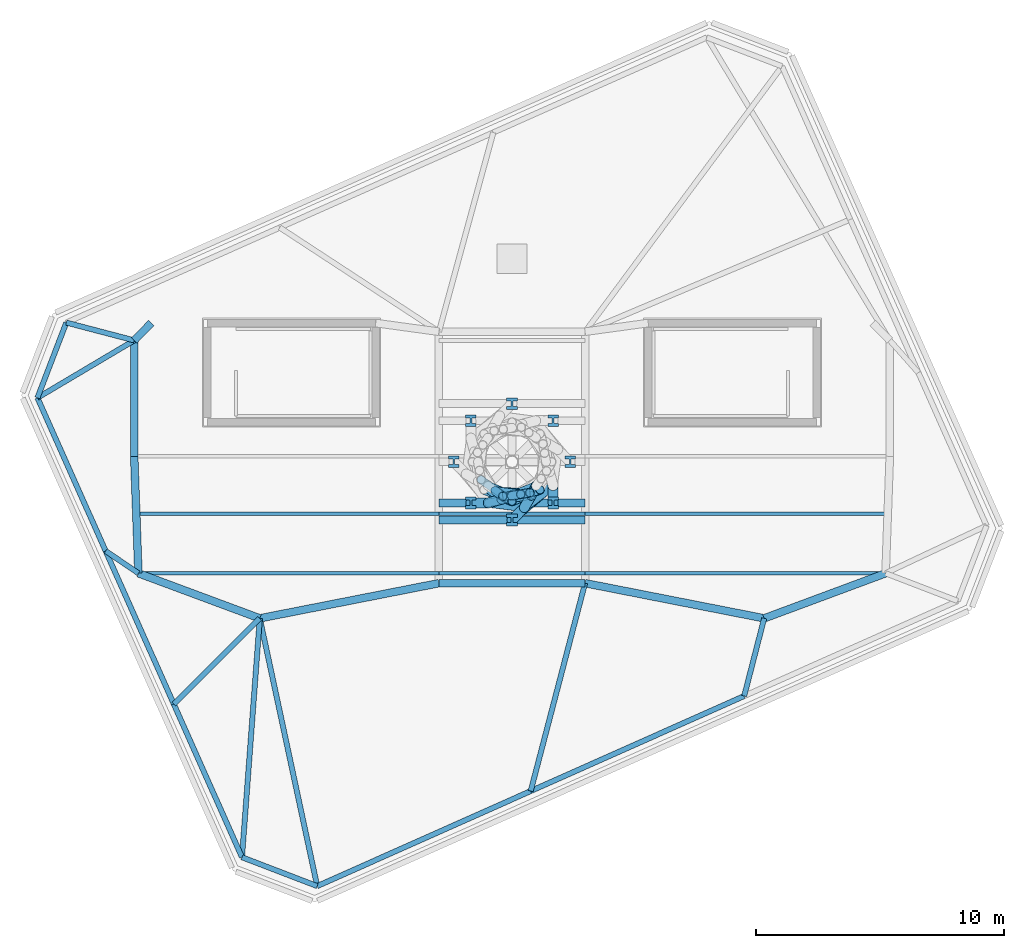
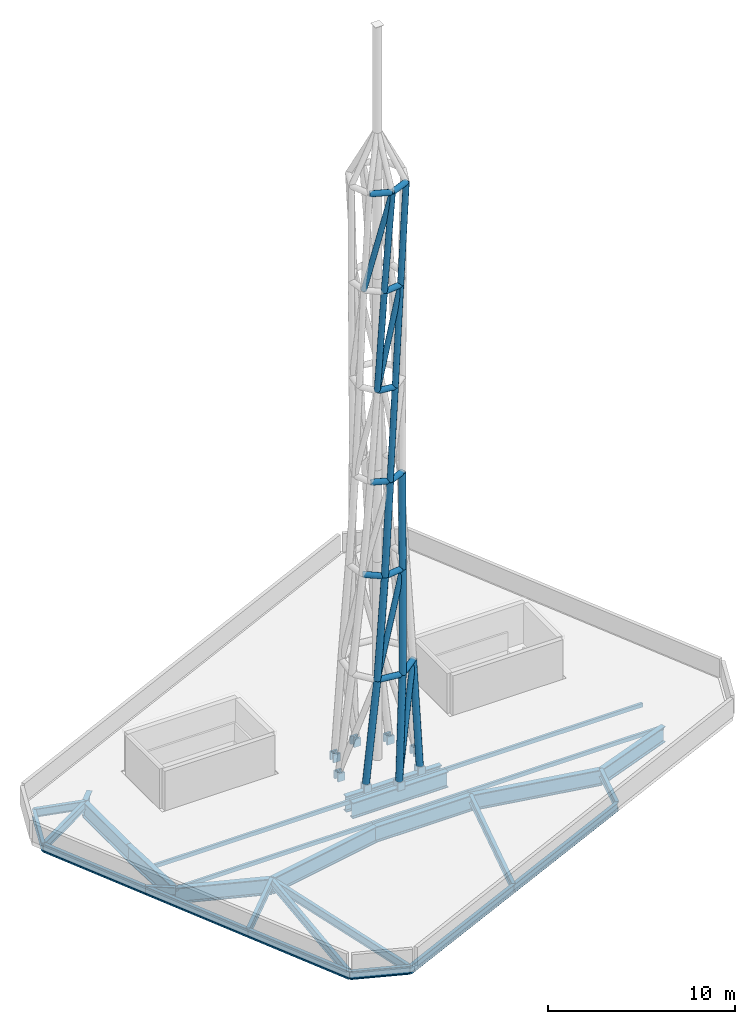
# One storey, part 1 of 5: 32 members, 25 beams, 8 columns.
"""IFC4 building model written with IfcOpenShell, lengths in metres."""

from ifc_helpers import new_model, si_unit, direction, frame, origin, origin_2d, place, context, subcontext, project, spatial, hollow_rectangle, hollow_circle, i_section, extrude, material, material_profile, profile_set, type_object, element, save


model = new_model("IFC4")

# Units and contexts
model_context = context("Model", 3, precision=1e-05, world=origin(), true_north=direction((0.0, 1.0)))
body_context = subcontext(model_context, "Body", "Model", "MODEL_VIEW")
ifc_project = project(units=[si_unit("LENGTHUNIT", "METRE"), si_unit("AREAUNIT", "SQUARE_METRE"), si_unit("VOLUMEUNIT", "CUBIC_METRE"), si_unit("PLANEANGLEUNIT", "RADIAN"), si_unit("MASSUNIT", "GRAM", prefix="KILO")], contexts=[model_context])

# Site, building, storey
site_placement = place(None, origin())
site = spatial("IfcSite", under=ifc_project, at=site_placement, CompositionType="ELEMENT")
building_placement = place(site_placement, origin())
building = spatial("IfcBuilding", under=site, at=building_placement, Name="Menara Jurai Vektor", CompositionType="ELEMENT")
storey_placement = place(building_placement, frame((0.0, 0.0, 312.0)))
storey = spatial("IfcBuildingStorey", under=building, at=storey_placement, Name="Roof", CompositionType="ELEMENT", Elevation=312.0)

# Columns
ifc_material_1 = material(Name="Steel S460", Category="steel")
ifc_material_profile_1 = material_profile(ifc_material_1, i_section(OverallWidth=0.427978515625, OverallDepth=0.468994140625, WebThickness=0.077880859375, FlangeThickness=0.125, FilletRadius=0.014892578125, at=origin_2d()), Name="HD 400x1086")
ifc_profile_set_1 = profile_set([ifc_material_profile_1], Name="Steel S460")
column_type = type_object("IfcColumnType", Name="STR-COL-PED-HD1086", PredefinedType="COLUMN", material=ifc_profile_set_1)
for number, where, z_axis, x_axis, name in (
    (1, (2.35009765625, 0.0, -0.5), (0.0, 0.0, 1.0), (1.0, 0.0, 0.0), "Broadcast Mast Anchor Pedestal 1"),
    (2, (1.66162109375, 1.66162109375, -0.5), (0.0, 0.0, 1.0), (1.0, 0.0, 0.0), "Broadcast Mast Anchor Pedestal 2"),
    (3, (0.0, 2.35009765625, -0.5), (0.0, 0.0, 1.0), (1.0, 0.0, 0.0), "Broadcast Mast Anchor Pedestal 3"),
    (4, (-1.66162109375, 1.66162109375, -0.5), (0.0, 0.0, 1.0), (1.0, 0.0, 0.0), "Broadcast Mast Anchor Pedestal 4"),
    (5, (-2.35009765625, 0.0, -0.5), (0.0, 0.0, 1.0), (1.0, 0.0, 0.0), "Broadcast Mast Anchor Pedestal 5"),
    (6, (-1.66162109375, -1.66162109375, -0.5), (0.0, 0.0, 1.0), (1.0, 0.0, 0.0), "Broadcast Mast Anchor Pedestal 6"),
    (7, (0.0, -2.35009765625, -0.5), (0.0, 0.0, 1.0), (1.0, 0.0, 0.0), "Broadcast Mast Anchor Pedestal 7"),
    (8, (1.66162109375, -1.66162109375, -0.5), (0.0, 0.0, 1.0), (1.0, 0.0, 0.0), "Broadcast Mast Anchor Pedestal 8"),
):
    element("IfcColumn", number, at=place(storey_placement, frame(where, z_axis=z_axis, x_axis=x_axis)), inside=storey, type_object=column_type, Name=name, PredefinedType="COLUMN", context=body_context, shape_type="SweptSolid", body=[
        extrude(i_section(OverallWidth=0.427978515625, OverallDepth=0.468994140625, WebThickness=0.077880859375, FlangeThickness=0.125, FilletRadius=0.014892578125, at=origin_2d()), origin(), (0.0, 0.0, 1.0), 0.52001953125),
    ])

# Beams
ifc_material_2 = material(Name="Steel S355", Category="steel")
ifc_material_profile_2 = material_profile(ifc_material_2, i_section(OverallWidth=0.2109375, OverallDepth=0.5390625, WebThickness=0.011962890625, FlangeThickness=0.01904296875, FilletRadius=0.012939453125, at=origin_2d()), Name="UKB 533x210x109")
ifc_profile_set_2 = profile_set([ifc_material_profile_2], Name="Steel S355")
beam_type_1 = type_object("IfcBeamType", Name="STR-BM-533", PredefinedType="BEAM", material=ifc_profile_set_2)
beam_1_placement = place(storey_placement, frame((-7.86279296875, -17.12890625, -0.619384765625), z_axis=(0.913542400823, 0.406743508735, 0.0), x_axis=(-0.406743508735, 0.913542400823, 0.0)))
element("IfcBeam", 9, at=beam_1_placement, inside=storey, type_object=beam_type_1, Name="Drum Roof Spandrel Beam 01", PredefinedType="SPANDREL", context=body_context, shape_type="SweptSolid", body=[
    extrude(i_section(OverallWidth=0.2109375, OverallDepth=0.5390625, WebThickness=0.011962890625, FlangeThickness=0.01904296875, FilletRadius=0.012939453125, at=origin_2d()), origin(), (0.0, 0.0, 1.0), 9.433349609375),
])
beam_2_placement = place(storey_placement, frame((-7.86279296875, -17.12890625, -0.619384765625), z_axis=(-0.209612042701, 0.977784634546, 0.0), x_axis=(-0.977784634546, -0.209612042701, 0.0)))
element("IfcBeam", 10, at=beam_2_placement, inside=storey, type_object=beam_type_1, Name="Drum Roof Radial Girder 01", PredefinedType="BEAM", context=body_context, shape_type="SweptSolid", body=[
    extrude(i_section(OverallWidth=0.2109375, OverallDepth=0.5390625, WebThickness=0.011962890625, FlangeThickness=0.01904296875, FilletRadius=0.012939453125, at=origin_2d()), origin(), (0.0, 0.0, 1.0), 11.054443359375),
])
beam_3_placement = place(storey_placement, frame((0.7548828125, -13.2919921875, -0.619384765625), z_axis=(0.913546682407, 0.406733892198, 0.0), x_axis=(-0.406733892198, 0.913546682407, 0.0)))
element("IfcBeam", 11, at=beam_3_placement, inside=storey, type_object=beam_type_1, Name="Drum Roof Spandrel Beam 02", PredefinedType="SPANDREL", context=body_context, shape_type="SweptSolid", body=[
    extrude(i_section(OverallWidth=0.2109375, OverallDepth=0.5390625, WebThickness=0.011962890625, FlangeThickness=0.01904296875, FilletRadius=0.012939453125, at=origin_2d()), origin(), (0.0, 0.0, 1.0), 9.43359375),
])
beam_4_placement = place(storey_placement, frame((0.7548828125, -13.2919921875, -0.619384765625), z_axis=(0.253050845091, 0.967452980666, 0.0), x_axis=(-0.967452980666, 0.253050845091, 0.0)))
element("IfcBeam", 12, at=beam_4_placement, inside=storey, type_object=beam_type_1, Name="Drum Roof Radial Girder 02", PredefinedType="BEAM", context=body_context, shape_type="SweptSolid", body=[
    extrude(i_section(OverallWidth=0.2109375, OverallDepth=0.5390625, WebThickness=0.011962890625, FlangeThickness=0.01904296875, FilletRadius=0.012939453125, at=origin_2d()), origin(), (0.0, 0.0, 1.0), 8.67431640625),
])
beam_5_placement = place(storey_placement, frame((9.372802734375, -9.455078125, -0.619384765625), z_axis=(0.249326005307, 0.968419611056, 0.0), x_axis=(-0.968419611056, 0.249326005307, 0.0)))
element("IfcBeam", 13, at=beam_5_placement, inside=storey, type_object=beam_type_1, Name="Drum Roof Radial Girder 03", PredefinedType="BEAM", context=body_context, shape_type="SweptSolid", body=[
    extrude(i_section(OverallWidth=0.2109375, OverallDepth=0.5390625, WebThickness=0.011962890625, FlangeThickness=0.01904296875, FilletRadius=0.012939453125, at=origin_2d()), origin(), (0.0, 0.0, 1.0), 3.2373046875),
])
beam_6_placement = place(storey_placement, frame((-17.990478515625, 5.618408203125, -0.619384765625), z_axis=(-0.358400601676, -0.933567891863, 0.0), x_axis=(0.933567891863, -0.358400601676, 0.0)))
element("IfcBeam", 14, at=beam_6_placement, inside=storey, type_object=beam_type_1, Name="Drum Roof Spandrel Beam 12", PredefinedType="SPANDREL", context=body_context, shape_type="SweptSolid", body=[
    extrude(i_section(OverallWidth=0.2109375, OverallDepth=0.5390625, WebThickness=0.011962890625, FlangeThickness=0.01904296875, FilletRadius=0.012939453125, at=origin_2d()), origin(), (0.0, 0.0, 1.0), 3.252685546875),
])
beam_7_placement = place(storey_placement, frame((-17.990478515625, 5.618408203125, -0.619384765625), z_axis=(0.967306314213, -0.253610911602, 0.0), x_axis=(0.253610911602, 0.967306314213, 0.0)))
element("IfcBeam", 15, at=beam_7_placement, inside=storey, type_object=beam_type_1, Name="Drum Roof Radial Girder 12", PredefinedType="BEAM", context=body_context, shape_type="SweptSolid", body=[
    extrude(i_section(OverallWidth=0.2109375, OverallDepth=0.5390625, WebThickness=0.011962890625, FlangeThickness=0.01904296875, FilletRadius=0.012939453125, at=origin_2d()), origin(), (0.0, 0.0, 1.0), 2.8330078125),
])
beam_8_placement = place(storey_placement, frame((-19.15625, 2.581787109375, -0.619384765625), z_axis=(0.406747616829, -0.913540571734, 0.0), x_axis=(0.913540571734, 0.406747616829, 0.0)))
element("IfcBeam", 16, at=beam_8_placement, inside=storey, type_object=beam_type_1, Name="Drum Roof Spandrel Beam 13", PredefinedType="SPANDREL", context=body_context, shape_type="SweptSolid", body=[
    extrude(i_section(OverallWidth=0.2109375, OverallDepth=0.5390625, WebThickness=0.011962890625, FlangeThickness=0.01904296875, FilletRadius=0.012939453125, at=origin_2d()), origin(), (0.0, 0.0, 1.0), 6.766845703125),
])
beam_9_placement = place(storey_placement, frame((-19.15625, 2.581787109375, -0.619384765625), z_axis=(0.859972695477, 0.510340046472, 0.0), x_axis=(-0.510340046472, 0.859972695477, 0.0)))
element("IfcBeam", 17, at=beam_9_placement, inside=storey, type_object=beam_type_1, Name="Drum Roof Radial Girder 13", PredefinedType="BEAM", context=body_context, shape_type="SweptSolid", body=[
    extrude(i_section(OverallWidth=0.2109375, OverallDepth=0.5390625, WebThickness=0.011962890625, FlangeThickness=0.01904296875, FilletRadius=0.012939453125, at=origin_2d()), origin(), (0.0, 0.0, 1.0), 4.542236328125),
])
beam_10_placement = place(storey_placement, frame((-16.40380859375, -3.60009765625, -0.619384765625), z_axis=(0.40674431916, -0.913542039991, 0.0), x_axis=(0.913542039991, 0.40674431916, 0.0)))
element("IfcBeam", 18, at=beam_10_placement, inside=storey, type_object=beam_type_1, Name="Drum Roof Spandrel Beam 14", PredefinedType="SPANDREL", context=body_context, shape_type="SweptSolid", body=[
    extrude(i_section(OverallWidth=0.2109375, OverallDepth=0.5390625, WebThickness=0.011962890625, FlangeThickness=0.01904296875, FilletRadius=0.012939453125, at=origin_2d()), origin(), (0.0, 0.0, 1.0), 6.766357421875),
])
beam_11_placement = place(storey_placement, frame((-16.40380859375, -3.60009765625, -0.619384765625), z_axis=(0.826994581898, -0.562209890977, 0.0), x_axis=(0.562209890977, 0.826994581898, 0.0)))
element("IfcBeam", 19, at=beam_11_placement, inside=storey, type_object=beam_type_1, Name="Drum Roof Radial Girder 14", PredefinedType="BEAM", context=body_context, shape_type="SweptSolid", body=[
    extrude(i_section(OverallWidth=0.2109375, OverallDepth=0.5390625, WebThickness=0.011962890625, FlangeThickness=0.01904296875, FilletRadius=0.012939453125, at=origin_2d()), origin(), (0.0, 0.0, 1.0), 1.6005859375),
])
beam_12_placement = place(storey_placement, frame((-13.651611328125, -9.781494140625, -0.619384765625), z_axis=(0.406717506727, -0.913553977454, 0.0), x_axis=(0.913553977454, 0.406717506727, 0.0)))
element("IfcBeam", 20, at=beam_12_placement, inside=storey, type_object=beam_type_1, Name="Drum Roof Spandrel Beam 15", PredefinedType="SPANDREL", context=body_context, shape_type="SweptSolid", body=[
    extrude(i_section(OverallWidth=0.2109375, OverallDepth=0.5390625, WebThickness=0.011962890625, FlangeThickness=0.01904296875, FilletRadius=0.012939453125, at=origin_2d()), origin(), (0.0, 0.0, 1.0), 6.766845703125),
])
beam_13_placement = place(storey_placement, frame((-13.651611328125, -9.781494140625, -0.619384765625), z_axis=(0.708151801634, 0.706060214034, 0.0), x_axis=(-0.706060214034, 0.708151801634, 0.0)))
element("IfcBeam", 21, at=beam_13_placement, inside=storey, type_object=beam_type_1, Name="Drum Roof Radial Girder 15", PredefinedType="BEAM", context=body_context, shape_type="SweptSolid", body=[
    extrude(i_section(OverallWidth=0.2109375, OverallDepth=0.5390625, WebThickness=0.011962890625, FlangeThickness=0.01904296875, FilletRadius=0.012939453125, at=origin_2d()), origin(), (0.0, 0.0, 1.0), 4.90234375),
])
beam_14_placement = place(storey_placement, frame((-10.8994140625, -15.96337890625, -0.619384765625), z_axis=(0.933593003906, -0.358335182557, 0.0), x_axis=(0.358335182557, 0.933593003906, 0.0)))
element("IfcBeam", 22, at=beam_14_placement, inside=storey, type_object=beam_type_1, Name="Drum Roof Spandrel Beam 16", PredefinedType="SPANDREL", context=body_context, shape_type="SweptSolid", body=[
    extrude(i_section(OverallWidth=0.2109375, OverallDepth=0.5390625, WebThickness=0.011962890625, FlangeThickness=0.01904296875, FilletRadius=0.012939453125, at=origin_2d()), origin(), (0.0, 0.0, 1.0), 3.252685546875),
])
beam_15_placement = place(storey_placement, frame((-10.8994140625, -15.96337890625, -0.619384765625), z_axis=(0.074402687101, 0.997228278857, 0.0), x_axis=(-0.997228278857, 0.074402687101, 0.0)))
element("IfcBeam", 23, at=beam_15_placement, inside=storey, type_object=beam_type_1, Name="Drum Roof Radial Girder 16", PredefinedType="BEAM", context=body_context, shape_type="SweptSolid", body=[
    extrude(i_section(OverallWidth=0.2109375, OverallDepth=0.5390625, WebThickness=0.011962890625, FlangeThickness=0.01904296875, FilletRadius=0.012939453125, at=origin_2d()), origin(), (0.0, 0.0, 1.0), 9.670166015625),
])
ifc_material_profile_3 = material_profile(ifc_material_1, i_section(OverallWidth=0.30908203125, OverallDepth=1.035888671875, WebThickness=0.030029296875, FlangeThickness=0.053955078125, FilletRadius=0.030029296875, at=origin_2d()), Name="UKB 1016x305x487")
ifc_profile_set_3 = profile_set([ifc_material_profile_3], Name="Steel S460")
beam_type_2 = type_object("IfcBeamType", Name="STR-BM-TR1016", PredefinedType="BEAM", material=ifc_profile_set_3)
beam_16_placement = place(storey_placement, frame((-15.25, 4.89990234375, -0.867919921875), z_axis=(0.701871936926, 0.712303154672, 0.0), x_axis=(-0.712303154672, 0.701871936926, 0.0)))
element("IfcBeam", 24, at=beam_16_placement, inside=storey, type_object=beam_type_2, Name="Core Ring Header Girder Roof-CHW-N1", PredefinedType="BEAM", context=body_context, shape_type="SweptSolid", body=[
    extrude(i_section(OverallWidth=0.30908203125, OverallDepth=1.035888671875, WebThickness=0.030029296875, FlangeThickness=0.053955078125, FilletRadius=0.030029296875, at=origin_2d()), origin(), (0.0, 0.0, 1.0), 0.98291015625),
])
beam_17_placement = place(storey_placement, frame((-15.25, 0.219970703125, -0.867919921875), z_axis=(0.0, 1.0, 0.0), x_axis=(-1.0, 0.0, 0.0)))
element("IfcBeam", 25, at=beam_17_placement, inside=storey, type_object=beam_type_2, Name="Core Ring Header Girder Roof-CHW-W1", PredefinedType="BEAM", context=body_context, shape_type="SweptSolid", body=[
    extrude(i_section(OverallWidth=0.30908203125, OverallDepth=1.035888671875, WebThickness=0.030029296875, FlangeThickness=0.053955078125, FilletRadius=0.030029296875, at=origin_2d()), origin(), (0.0, 0.0, 1.0), 4.679931640625),
])
beam_18_placement = place(storey_placement, frame((-15.080078125, -4.5, -0.867919921875), z_axis=(-0.035977314146, 0.999352606874, 0.0), x_axis=(-0.999352606874, -0.035977314146, 0.0)))
element("IfcBeam", 26, at=beam_18_placement, inside=storey, type_object=beam_type_2, Name="Core Ring Header Girder Roof-CHW-W2", PredefinedType="BEAM", context=body_context, shape_type="SweptSolid", body=[
    extrude(i_section(OverallWidth=0.30908203125, OverallDepth=1.035888671875, WebThickness=0.030029296875, FlangeThickness=0.053955078125, FilletRadius=0.030029296875, at=origin_2d()), origin(), (0.0, 0.0, 1.0), 4.72314453125),
])
beam_19_placement = place(storey_placement, frame((-15.080078125, -4.5, -0.867919921875), z_axis=(0.937424400887, -0.348188874925, 0.0), x_axis=(0.348188874925, 0.937424400887, 0.0)))
element("IfcBeam", 27, at=beam_19_placement, inside=storey, type_object=beam_type_2, Name="Core Ring Header Girder Roof-CHW-S1", PredefinedType="BEAM", context=body_context, shape_type="SweptSolid", body=[
    extrude(i_section(OverallWidth=0.30908203125, OverallDepth=1.035888671875, WebThickness=0.030029296875, FlangeThickness=0.053955078125, FilletRadius=0.030029296875, at=origin_2d()), origin(), (0.0, 0.0, 1.0), 5.227294921875),
])
beam_20_placement = place(storey_placement, frame((-10.179931640625, -6.320068359375, -0.867919921875), z_axis=(0.981249044334, 0.192744164614, 0.0), x_axis=(-0.192744164614, 0.981249044334, 0.0)))
element("IfcBeam", 28, at=beam_20_placement, inside=storey, type_object=beam_type_2, Name="Core Ring Header Girder Roof-CHW-S2", PredefinedType="BEAM", context=body_context, shape_type="SweptSolid", body=[
    extrude(i_section(OverallWidth=0.30908203125, OverallDepth=1.035888671875, WebThickness=0.030029296875, FlangeThickness=0.053955078125, FilletRadius=0.030029296875, at=origin_2d()), origin(), (0.0, 0.0, 1.0), 7.3681640625),
])
beam_21_placement = place(storey_placement, frame((10.179931640625, -6.320068359375, -0.867919921875), z_axis=(0.937424400887, 0.348188874925, 0.0), x_axis=(-0.348188874925, 0.937424400887, 0.0)))
element("IfcBeam", 29, at=beam_21_placement, inside=storey, type_object=beam_type_2, Name="Core Ring Header Girder Roof-CHE-S1", PredefinedType="BEAM", context=body_context, shape_type="SweptSolid", body=[
    extrude(i_section(OverallWidth=0.30908203125, OverallDepth=1.035888671875, WebThickness=0.030029296875, FlangeThickness=0.053955078125, FilletRadius=0.030029296875, at=origin_2d()), origin(), (0.0, 0.0, 1.0), 5.227294921875),
])
beam_22_placement = place(storey_placement, frame((2.949951171875, -4.89990234375, -0.867919921875), z_axis=(0.981249044334, -0.192744164614, 0.0), x_axis=(0.192744164614, 0.981249044334, 0.0)))
element("IfcBeam", 30, at=beam_22_placement, inside=storey, type_object=beam_type_2, Name="Core Ring Header Girder Roof-CHE-S2", PredefinedType="BEAM", context=body_context, shape_type="SweptSolid", body=[
    extrude(i_section(OverallWidth=0.30908203125, OverallDepth=1.035888671875, WebThickness=0.030029296875, FlangeThickness=0.053955078125, FilletRadius=0.030029296875, at=origin_2d()), origin(), (0.0, 0.0, 1.0), 7.3681640625),
])
for number, where, z_axis, x_axis, name in (
    (31, (-2.949951171875, -4.89990234375, -0.867919921875), (1.0, 0.0, 0.0), (0.0, 1.0, 0.0), "Core Ring Header Girder Roof-CC-1"),
    (32, (-2.949951171875, -2.35009765625, -0.867919921875), (1.0, 0.0, 0.0), (0.0, 1.0, 0.0), "Broadcast Mast Cross Transfer Girder 1"),
    (33, (-2.949951171875, -1.66162109375, -0.867919921875), (1.0, 0.0, 0.0), (0.0, 1.0, 0.0), "Broadcast Mast Cross Transfer Girder 2"),
):
    element("IfcBeam", number, at=place(storey_placement, frame(where, z_axis=z_axis, x_axis=x_axis)), inside=storey, type_object=beam_type_2, Name=name, PredefinedType="BEAM", context=body_context, shape_type="SweptSolid", body=[
        extrude(i_section(OverallWidth=0.30908203125, OverallDepth=1.035888671875, WebThickness=0.030029296875, FlangeThickness=0.053955078125, FilletRadius=0.030029296875, at=origin_2d()), origin(), (0.0, 0.0, 1.0), 5.89990234375),
    ])

# Members
ifc_material_profile_4 = material_profile(ifc_material_1, hollow_circle(Radius=0.161865234375, WallThickness=0.012451171875, at=origin_2d()), Name="CHS 323.9x12.5")
ifc_profile_set_4 = profile_set([ifc_material_profile_4], Name="Steel S460")
member_type_1 = type_object("IfcMemberType", Name="STR-MAST-DIAG324", PredefinedType="USERDEFINED", material=ifc_profile_set_4)
member_1_placement = place(storey_placement, frame((0.0, -2.35009765625, 0.0), z_axis=(0.241787513154, 0.203443612763, 0.948762085514), x_axis=(-0.643826615743, 0.765171411424, 0.0)))
element("IfcMember", 34, at=member_1_placement, inside=storey, type_object=member_type_1, Name="Broadcast Mast Lattice Diagonal D1-7", ObjectType="MAST", PredefinedType="USERDEFINED", context=body_context, shape_type="SweptSolid", body=[
    extrude(hollow_circle(Radius=0.161865234375, WallThickness=0.012451171875, at=origin_2d()), origin(), (0.0, 0.0, 1.0), 6.85107421875),
])
member_2_placement = place(storey_placement, frame((-0.956298828125, -1.656494140625, 6.5), z_axis=(0.257985687246, 0.045021529234, 0.965099190281), x_axis=(-0.17191360704, 0.985112030032, 0.0)))
element("IfcMember", 35, at=member_2_placement, inside=storey, type_object=member_type_1, Name="Broadcast Mast Lattice Diagonal D2-6", ObjectType="MAST", PredefinedType="USERDEFINED", context=body_context, shape_type="SweptSolid", body=[
    extrude(hollow_circle(Radius=0.161865234375, WallThickness=0.012451171875, at=origin_2d()), origin(), (0.0, 0.0, 1.0), 6.735107421875),
])
member_3_placement = place(storey_placement, frame((-0.6796875, -1.177490234375, 25.0), z_axis=(0.210705038761, -0.010867518988, 0.977489275477), x_axis=(0.051508464396, 0.998672557997, 0.0)))
element("IfcMember", 36, at=member_3_placement, inside=storey, type_object=member_type_1, Name="Broadcast Mast Lattice Diagonal D5-5", ObjectType="MAST", PredefinedType="USERDEFINED", context=body_context, shape_type="SweptSolid", body=[
    extrude(hollow_circle(Radius=0.161865234375, WallThickness=0.012451171875, at=origin_2d()), origin(), (0.0, 0.0, 1.0), 6.649658203125),
])
member_4_placement = place(storey_placement, frame((-1.249755859375, -0.721435546875, 31.5), z_axis=(0.18716988535, -0.13159297077, 0.973473535368), x_axis=(0.575145004264, 0.818051480086, 0.0)))
element("IfcMember", 37, at=member_4_placement, inside=storey, type_object=member_type_1, Name="Broadcast Mast Lattice Diagonal D6-4", ObjectType="MAST", PredefinedType="USERDEFINED", context=body_context, shape_type="SweptSolid", body=[
    extrude(hollow_circle(Radius=0.161865234375, WallThickness=0.012451171875, at=origin_2d()), origin(), (0.0, 0.0, 1.0), 6.677001953125),
])
ifc_material_profile_5 = material_profile(ifc_material_1, hollow_circle(Radius=0.177734375, WallThickness=0.01611328125, at=origin_2d()), Name="CHS 355.6x16")
ifc_profile_set_5 = profile_set([ifc_material_profile_5], Name="Steel S460")
member_type_2 = type_object("IfcMemberType", Name="STR-MAST-LEG356", PredefinedType="USERDEFINED", material=ifc_profile_set_5)
member_5_placement = place(storey_placement, frame((0.0, -1.375244140625, 19.0), z_axis=(0.058530791442, 0.010317016673, 0.998232290411), x_axis=(-0.173590393345, 0.984817940199, 0.0)))
element("IfcMember", 38, at=member_5_placement, inside=storey, type_object=member_type_2, Name="Broadcast Mast Hyperboloid Leg T4-6", ObjectType="MAST", PredefinedType="USERDEFINED", context=body_context, shape_type="SweptSolid", body=[
    extrude(hollow_circle(Radius=0.177734375, WallThickness=0.01611328125, at=origin_2d()), origin(), (0.0, 0.0, 1.0), 6.0107421875),
])
for number, where, z_axis, x_axis, name in (
    (39, (-0.6796875, -1.177490234375, 25.0), (0.047022230208, -0.033223043034, 0.99834119382), (0.577041124989, 0.816715091125, 0.0), "Broadcast Mast Hyperboloid Leg T5-5"),
    (40, (0.351806640625, -1.313232421875, 25.0), (0.056771564768, 0.009749410066, 0.998339590739), (-0.169252899601, 0.98557265383, 0.0), "Broadcast Mast Hyperboloid Leg T5-6"),
):
    element("IfcMember", number, at=place(storey_placement, frame(where, z_axis=z_axis, x_axis=x_axis)), inside=storey, type_object=member_type_2, Name=name, ObjectType="MAST", PredefinedType="USERDEFINED", context=body_context, shape_type="SweptSolid", body=[
        extrude(hollow_circle(Radius=0.177734375, WallThickness=0.01611328125, at=origin_2d()), origin(), (0.0, 0.0, 1.0), 6.5107421875),
    ])
for number, where, z_axis, x_axis, name in (
    (41, (-0.37353515625, -1.393798828125, 31.5), (0.057343511338, -0.031670109203, 0.997852056114), (0.48345541913, 0.875368983751, 0.0), "Broadcast Mast Hyperboloid Leg T6-5"),
    (42, (0.721435546875, -1.249755859375, 31.5), (0.062927973921, 0.018177526713, 0.997852517971), (-0.27751618061, 0.960720963391, 0.0), "Broadcast Mast Hyperboloid Leg T6-6"),
):
    element("IfcMember", number, at=place(storey_placement, frame(where, z_axis=z_axis, x_axis=x_axis)), inside=storey, type_object=member_type_2, Name=name, ObjectType="MAST", PredefinedType="USERDEFINED", context=body_context, shape_type="SweptSolid", body=[
        extrude(hollow_circle(Radius=0.177734375, WallThickness=0.01611328125, at=origin_2d()), origin(), (0.0, 0.0, 1.0), 6.513916015625),
    ])
ifc_material_profile_6 = material_profile(ifc_material_1, hollow_circle(Radius=0.203125, WallThickness=0.01611328125, at=origin_2d()), Name="CHS 406.4x16")
ifc_profile_set_6 = profile_set([ifc_material_profile_6], Name="Steel S460")
member_type_3 = type_object("IfcMemberType", Name="STR-MAST-LEG406", PredefinedType="USERDEFINED", material=ifc_profile_set_6)
for number, where, z_axis, x_axis, name in (
    (43, (-1.66162109375, -1.66162109375, 0.0), (0.107877830526, 0.000784158685, 0.994163849059), (-0.007268759165, 0.999973582221, 0.0), "Broadcast Mast Hyperboloid Leg T1-6"),
    (44, (0.0, -2.35009765625, 0.0), (0.075727251266, 0.076847476877, 0.994162888421), (-0.712279262743, 0.701896183111, 0.0), "Broadcast Mast Hyperboloid Leg T1-7"),
    (45, (1.66162109375, -1.66162109375, 0.0), (-0.000784158685, 0.107877830526, 0.994163849059), (-0.999973582221, -0.007268759165, 0.0), "Broadcast Mast Hyperboloid Leg T1-8"),
):
    element("IfcMember", number, at=place(storey_placement, frame(where, z_axis=z_axis, x_axis=x_axis)), inside=storey, type_object=member_type_3, Name=name, ObjectType="MAST", PredefinedType="USERDEFINED", context=body_context, shape_type="SweptSolid", body=[
        extrude(hollow_circle(Radius=0.203125, WallThickness=0.01611328125, at=origin_2d()), origin(), (0.0, 0.0, 1.0), 6.5380859375),
    ])
for number, where, z_axis, x_axis, name in (
    (46, (-0.956298828125, -1.656494140625, 6.5), (0.084597322801, 0.022524364585, 0.996160602501), (-0.257290214822, 0.966334178924, 0.0), "Broadcast Mast Hyperboloid Leg T2-6"),
    (47, (0.4951171875, -1.84765625, 6.5), (0.043851430453, 0.075767189989, 0.996160822844), (-0.865494555793, 0.500918330562, 0.0), "Broadcast Mast Hyperboloid Leg T2-7"),
):
    element("IfcMember", number, at=place(storey_placement, frame(where, z_axis=z_axis, x_axis=x_axis)), inside=storey, type_object=member_type_3, Name=name, ObjectType="MAST", PredefinedType="USERDEFINED", context=body_context, shape_type="SweptSolid", body=[
        extrude(hollow_circle(Radius=0.203125, WallThickness=0.01611328125, at=origin_2d()), origin(), (0.0, 0.0, 1.0), 6.525146484375),
    ])
for number, where, z_axis, x_axis, name in (
    (48, (-0.404296875, -1.509521484375, 13.0), (0.067213603922, 0.02232335879, 0.997488846604), (-0.315196028436, 0.949026587435, 0.0), "Broadcast Mast Hyperboloid Leg T3-6"),
    (49, (0.78125, -1.353271484375, 13.0), (0.031780296826, 0.063317066474, 0.997487324143), (-0.893738642871, 0.448588049595, 0.0), "Broadcast Mast Hyperboloid Leg T3-7"),
):
    element("IfcMember", number, at=place(storey_placement, frame(where, z_axis=z_axis, x_axis=x_axis)), inside=storey, type_object=member_type_3, Name=name, ObjectType="MAST", PredefinedType="USERDEFINED", context=body_context, shape_type="SweptSolid", body=[
        extrude(hollow_circle(Radius=0.203125, WallThickness=0.01611328125, at=origin_2d()), origin(), (0.0, 0.0, 1.0), 6.01513671875),
    ])
ifc_material_profile_7 = material_profile(ifc_material_1, hollow_circle(Radius=0.177734375, WallThickness=0.01611328125, at=origin_2d()), Name="CHS 355.6x16")
ifc_profile_set_7 = profile_set([ifc_material_profile_7], Name="Steel S460")
member_type_4 = type_object("IfcMemberType", Name="STR-MAST-RING356", PredefinedType="USERDEFINED", material=ifc_profile_set_7)
member_6_placement = place(storey_placement, frame((-0.956298828125, -1.656494140625, 6.5), z_axis=(0.991437826512, -0.130579616175, 0.0), x_axis=(0.130579616175, 0.991437826512, 0.0)))
element("IfcMember", 50, at=member_6_placement, inside=storey, type_object=member_type_4, Name="Broadcast Mast Stiffener Ring R1-6", ObjectType="MAST", PredefinedType="USERDEFINED", context=body_context, shape_type="SweptSolid", body=[
    extrude(hollow_circle(Radius=0.177734375, WallThickness=0.01611328125, at=origin_2d()), origin(), (0.0, 0.0, 1.0), 1.4638671875),
])
member_7_placement = place(storey_placement, frame((0.4951171875, -1.84765625, 6.5), z_axis=(0.793286848438, 0.608848073081, 0.0), x_axis=(-0.608848073081, 0.793286848438, 0.0)))
element("IfcMember", 51, at=member_7_placement, inside=storey, type_object=member_type_4, Name="Broadcast Mast Stiffener Ring R1-7", ObjectType="MAST", PredefinedType="USERDEFINED", context=body_context, shape_type="SweptSolid", body=[
    extrude(hollow_circle(Radius=0.177734375, WallThickness=0.01611328125, at=origin_2d()), origin(), (0.0, 0.0, 1.0), 1.464111328125),
])
member_8_placement = place(storey_placement, frame((-1.353271484375, -0.78125, 13.0), z_axis=(0.793313910892, -0.608812810957, 0.0), x_axis=(0.608812810957, 0.793313910892, 0.0)))
element("IfcMember", 52, at=member_8_placement, inside=storey, type_object=member_type_4, Name="Broadcast Mast Stiffener Ring R2-5", ObjectType="MAST", PredefinedType="USERDEFINED", context=body_context, shape_type="SweptSolid", body=[
    extrude(hollow_circle(Radius=0.177734375, WallThickness=0.01611328125, at=origin_2d()), origin(), (0.0, 0.0, 1.0), 1.1962890625),
])
member_9_placement = place(storey_placement, frame((-0.404296875, -1.509521484375, 13.0), z_axis=(0.991426476541, 0.130665762971, 0.0), x_axis=(-0.130665762971, 0.991426476541, 0.0)))
element("IfcMember", 53, at=member_9_placement, inside=storey, type_object=member_type_4, Name="Broadcast Mast Stiffener Ring R2-6", ObjectType="MAST", PredefinedType="USERDEFINED", context=body_context, shape_type="SweptSolid", body=[
    extrude(hollow_circle(Radius=0.177734375, WallThickness=0.01611328125, at=origin_2d()), origin(), (0.0, 0.0, 1.0), 1.19580078125),
])
for number, where, z_axis, x_axis, name in (
    (54, (-0.972412109375, -0.972412109375, 19.0), (0.92386416514, -0.382720530374, 0.0), (0.382720530374, 0.92386416514, 0.0), "Broadcast Mast Stiffener Ring R3-5"),
    (55, (0.0, -1.375244140625, 19.0), (0.92386416514, 0.382720530374, 0.0), (-0.382720530374, 0.92386416514, 0.0), "Broadcast Mast Stiffener Ring R3-6"),
):
    element("IfcMember", number, at=place(storey_placement, frame(where, z_axis=z_axis, x_axis=x_axis)), inside=storey, type_object=member_type_4, Name=name, ObjectType="MAST", PredefinedType="USERDEFINED", context=body_context, shape_type="SweptSolid", body=[
        extrude(hollow_circle(Radius=0.177734375, WallThickness=0.01611328125, at=origin_2d()), origin(), (0.0, 0.0, 1.0), 1.052490234375),
    ])
member_10_placement = place(storey_placement, frame((-0.6796875, -1.177490234375, 25.0), z_axis=(0.991451899223, -0.130472723306, 0.0), x_axis=(0.130472723306, 0.991451899223, 0.0)))
element("IfcMember", 56, at=member_10_placement, inside=storey, type_object=member_type_4, Name="Broadcast Mast Stiffener Ring R4-5", ObjectType="MAST", PredefinedType="USERDEFINED", context=body_context, shape_type="SweptSolid", body=[
    extrude(hollow_circle(Radius=0.177734375, WallThickness=0.01611328125, at=origin_2d()), origin(), (0.0, 0.0, 1.0), 1.040283203125),
])
member_11_placement = place(storey_placement, frame((-0.37353515625, -1.393798828125, 31.5), z_axis=(0.991458057228, 0.130425920572, 0.0), x_axis=(-0.130425920572, 0.991458057228, 0.0)))
element("IfcMember", 57, at=member_11_placement, inside=storey, type_object=member_type_4, Name="Broadcast Mast Stiffener Ring R5-5", ObjectType="MAST", PredefinedType="USERDEFINED", context=body_context, shape_type="SweptSolid", body=[
    extrude(hollow_circle(Radius=0.177734375, WallThickness=0.01611328125, at=origin_2d()), origin(), (0.0, 0.0, 1.0), 1.1044921875),
])
for number, where, z_axis, x_axis, name in (
    (58, (-1.13134765625, -1.13134765625, 38.0), (0.923841864246, -0.382774358945, 0.0), (0.382774358945, 0.923841864246, 0.0), "Broadcast Mast Stiffener Ring R6-4"),
    (59, (0.0, -1.60009765625, 38.0), (0.923841864246, 0.382774358945, 0.0), (-0.382774358945, 0.923841864246, 0.0), "Broadcast Mast Stiffener Ring R6-5"),
):
    element("IfcMember", number, at=place(storey_placement, frame(where, z_axis=z_axis, x_axis=x_axis)), inside=storey, type_object=member_type_4, Name=name, ObjectType="MAST", PredefinedType="USERDEFINED", context=body_context, shape_type="SweptSolid", body=[
        extrude(hollow_circle(Radius=0.177734375, WallThickness=0.01611328125, at=origin_2d()), origin(), (0.0, 0.0, 1.0), 1.224609375),
    ])
ifc_material_profile_8 = material_profile(ifc_material_2, hollow_rectangle(XDim=0.14990234375, YDim=0.25, WallThickness=0.010009765625, at=origin_2d()), Name="RHS 250x150x10")
ifc_profile_set_8 = profile_set([ifc_material_profile_8], Name="Steel S355")
member_type_5 = type_object("IfcMemberType", Name="STR-PR-RHS250", PredefinedType="PURLIN", material=ifc_profile_set_8)
member_12_placement = place(storey_placement, frame((-15.080078125, -4.5, -0.48291015625), z_axis=(1.0, 0.0, 0.0), x_axis=(0.0, 1.0, 0.0)))
element("IfcMember", 60, at=member_12_placement, inside=storey, type_object=member_type_5, Name="Drum Roof Structural Purlin PR-01", PredefinedType="PURLIN", context=body_context, shape_type="SweptSolid", body=[
    extrude(hollow_rectangle(XDim=0.14990234375, YDim=0.25, WallThickness=0.010009765625, at=origin_2d()), origin(), (0.0, 0.0, 1.0), 12.130126953125),
])
member_13_placement = place(storey_placement, frame((-2.949951171875, -4.5, -0.48291015625), z_axis=(1.0, 0.0, 0.0), x_axis=(0.0, 1.0, 0.0)))
element("IfcMember", 61, at=member_13_placement, inside=storey, type_object=member_type_5, Name="Drum Roof Structural Purlin PR-02", PredefinedType="PURLIN", context=body_context, shape_type="SweptSolid", body=[
    extrude(hollow_rectangle(XDim=0.14990234375, YDim=0.25, WallThickness=0.010009765625, at=origin_2d()), origin(), (0.0, 0.0, 1.0), 5.89990234375),
])
member_14_placement = place(storey_placement, frame((2.949951171875, -4.5, -0.48291015625), z_axis=(1.0, 0.0, 0.0), x_axis=(0.0, 1.0, 0.0)))
element("IfcMember", 62, at=member_14_placement, inside=storey, type_object=member_type_5, Name="Drum Roof Structural Purlin PR-03", PredefinedType="PURLIN", context=body_context, shape_type="SweptSolid", body=[
    extrude(hollow_rectangle(XDim=0.14990234375, YDim=0.25, WallThickness=0.010009765625, at=origin_2d()), origin(), (0.0, 0.0, 1.0), 12.130126953125),
])
member_15_placement = place(storey_placement, frame((-15.159912109375, -2.10009765625, -0.48291015625), z_axis=(1.0, 0.0, 0.0), x_axis=(0.0, 1.0, 0.0)))
element("IfcMember", 63, at=member_15_placement, inside=storey, type_object=member_type_5, Name="Drum Roof Structural Purlin PR-04", PredefinedType="PURLIN", context=body_context, shape_type="SweptSolid", body=[
    extrude(hollow_rectangle(XDim=0.14990234375, YDim=0.25, WallThickness=0.010009765625, at=origin_2d()), origin(), (0.0, 0.0, 1.0), 12.2099609375),
])
member_16_placement = place(storey_placement, frame((-2.949951171875, -2.10009765625, -0.48291015625), z_axis=(1.0, 0.0, 0.0), x_axis=(0.0, 1.0, 0.0)))
element("IfcMember", 64, at=member_16_placement, inside=storey, type_object=member_type_5, Name="Drum Roof Structural Purlin PR-05", PredefinedType="PURLIN", context=body_context, shape_type="SweptSolid", body=[
    extrude(hollow_rectangle(XDim=0.14990234375, YDim=0.25, WallThickness=0.010009765625, at=origin_2d()), origin(), (0.0, 0.0, 1.0), 5.89990234375),
])
member_17_placement = place(storey_placement, frame((2.949951171875, -2.10009765625, -0.48291015625), z_axis=(1.0, 0.0, 0.0), x_axis=(0.0, 1.0, 0.0)))
element("IfcMember", 65, at=member_17_placement, inside=storey, type_object=member_type_5, Name="Drum Roof Structural Purlin PR-06", PredefinedType="PURLIN", context=body_context, shape_type="SweptSolid", body=[
    extrude(hollow_rectangle(XDim=0.14990234375, YDim=0.25, WallThickness=0.010009765625, at=origin_2d()), origin(), (0.0, 0.0, 1.0), 12.2099609375),
])

save(model, "model.ifc")
